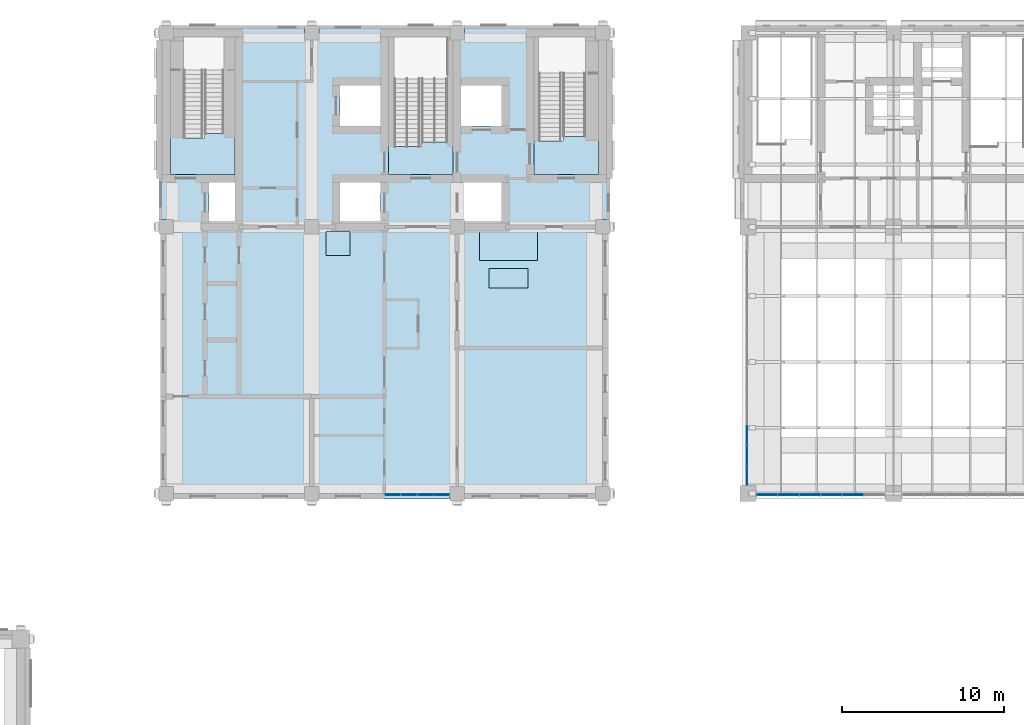
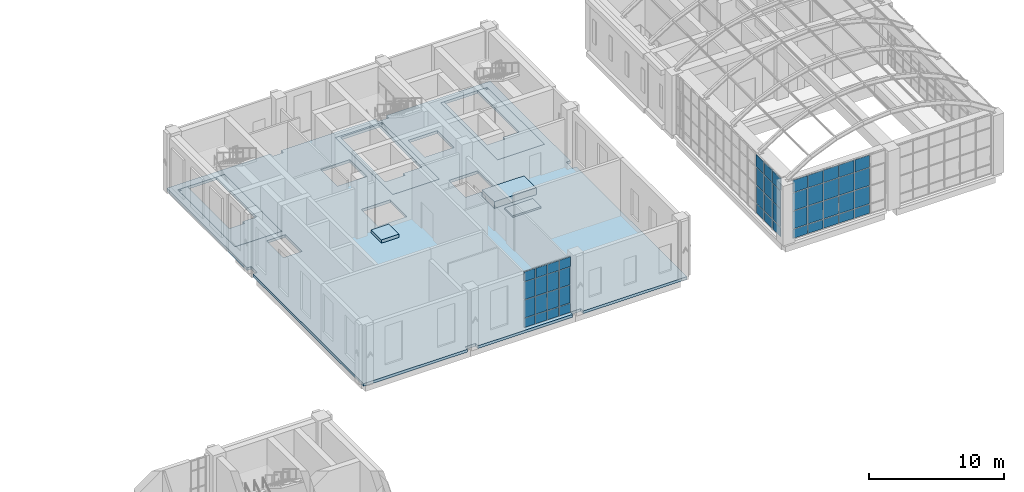
# One storey, part 19 of 39: 48 plates, 7 slabs, 7 elements without a shape of their own.
"""IFC4 building model written with IfcOpenShell, lengths in metres."""

from ifc_helpers import new_model, si_unit, direction, frame, origin, origin_2d, place, context, subcontext, project, spatial, polyline, rectangle, outline, extrude, material, layer, layer_set, type_object, element, aggregate, save


model = new_model("IFC4")

# Units and contexts
model_context = context("Model", 3, precision=1e-05, world=origin(), true_north=direction((0.0, 1.0)))
body_context = subcontext(model_context, "Body", "Model", "MODEL_VIEW")
ifc_project = project(units=[si_unit("LENGTHUNIT", "METRE"), si_unit("AREAUNIT", "SQUARE_METRE"), si_unit("VOLUMEUNIT", "CUBIC_METRE"), si_unit("PLANEANGLEUNIT", "RADIAN"), si_unit("MASSUNIT", "GRAM", prefix="KILO")], contexts=[model_context])

# Site, building, storey
site_placement = place(None, origin())
site = spatial("IfcSite", under=ifc_project, at=site_placement, CompositionType="ELEMENT")
building_placement = place(site_placement, origin())
building = spatial("IfcBuilding", under=site, at=building_placement, Name="Aurelan Courthouse", CompositionType="ELEMENT")
storey_placement = place(building_placement, frame((0.0, 0.0, 28.199951171875)))
storey = spatial("IfcBuildingStorey", under=building, at=storey_placement, Name="L05", CompositionType="ELEMENT", Elevation=28.199951171875)

# Curtain wall, plates
ifc_material_1 = material(Name="Bronze-finished aluminium and glass", Category="aluminium")
ifc_layer_1 = layer(ifc_material_1, 0.14990234375)
ifc_layer_set_1 = layer_set([ifc_layer_1], Name="Bronze-finished aluminium and glass")
curtain_wall_type_1 = type_object("IfcCurtainWallType", Name="Curtain wall 8000 x 5400", PredefinedType="NOTDEFINED", material=ifc_layer_set_1)
curtain_wall_1_placement = place(storey_placement, origin())
curtain_wall_1 = element("IfcCurtainWall", 1, at=curtain_wall_1_placement, inside=storey, type_object=curtain_wall_type_1, Name="Curtain wall CW-V3-L05-S01", PredefinedType="NOTDEFINED")
ifc_material_2 = material(Name="Bronze-finished aluminium", Category="aluminium")
ifc_layer_2 = layer(ifc_material_2, 0.070068359375)
ifc_layer_set_2 = layer_set([ifc_layer_2], Name="Bronze-finished aluminium")
plate_type_1 = type_object("IfcPlateType", Name="Bronze spandrel panel 70", PredefinedType="CURTAIN_PANEL", material=ifc_layer_set_2)
plate_1_placement = place(storey_placement, frame((73.181640625, 37.425048828125, 4.22998046875), z_axis=(0.0, 0.0, 1.0), x_axis=(1.0, 0.0, 0.0)))
plate_1 = element("IfcPlate", 2, at=plate_1_placement, type_object=plate_type_1, Name="CW-V3-L05-S01 spandrel panel 1.4", PredefinedType="CURTAIN_PANEL", context=body_context, shape_type="SweptSolid", body=[
    extrude(rectangle(XDim=1.243408203125, YDim=0.070068359375, at=origin_2d()), origin(), (0.0, 0.0, 1.0), 1.110107421875),
])
plate_2_placement = place(storey_placement, frame((74.5, 37.425048828125, 4.22998046875), z_axis=(0.0, 0.0, 1.0), x_axis=(1.0, 0.0, 0.0)))
plate_2 = element("IfcPlate", 3, at=plate_2_placement, type_object=plate_type_1, Name="CW-V3-L05-S01 spandrel panel 2.4", PredefinedType="CURTAIN_PANEL", context=body_context, shape_type="SweptSolid", body=[
    extrude(rectangle(XDim=1.2734375, YDim=0.070068359375, at=origin_2d()), origin(), (0.0, 0.0, 1.0), 1.110107421875),
])
plate_3_placement = place(storey_placement, frame((75.833251953125, 37.425048828125, 4.22998046875), z_axis=(0.0, 0.0, 1.0), x_axis=(1.0, 0.0, 0.0)))
plate_3 = element("IfcPlate", 4, at=plate_3_placement, type_object=plate_type_1, Name="CW-V3-L05-S01 spandrel panel 3.4", PredefinedType="CURTAIN_PANEL", context=body_context, shape_type="SweptSolid", body=[
    extrude(rectangle(XDim=1.2734375, YDim=0.070068359375, at=origin_2d()), origin(), (0.0, 0.0, 1.0), 1.110107421875),
])
plate_4_placement = place(storey_placement, frame((77.166748046875, 37.425048828125, 4.22998046875), z_axis=(0.0, 0.0, 1.0), x_axis=(1.0, 0.0, 0.0)))
plate_4 = element("IfcPlate", 5, at=plate_4_placement, type_object=plate_type_1, Name="CW-V3-L05-S01 spandrel panel 4.4", PredefinedType="CURTAIN_PANEL", context=body_context, shape_type="SweptSolid", body=[
    extrude(rectangle(XDim=1.2734375, YDim=0.070068359375, at=origin_2d()), origin(), (0.0, 0.0, 1.0), 1.110107421875),
])
plate_5_placement = place(storey_placement, frame((78.5, 37.425048828125, 4.22998046875), z_axis=(0.0, 0.0, 1.0), x_axis=(1.0, 0.0, 0.0)))
plate_5 = element("IfcPlate", 6, at=plate_5_placement, type_object=plate_type_1, Name="CW-V3-L05-S01 spandrel panel 5.4", PredefinedType="CURTAIN_PANEL", context=body_context, shape_type="SweptSolid", body=[
    extrude(rectangle(XDim=1.2734375, YDim=0.070068359375, at=origin_2d()), origin(), (0.0, 0.0, 1.0), 1.110107421875),
])

ifc_layer_3 = layer(ifc_material_1, 0.14990234375)
ifc_layer_set_3 = layer_set([ifc_layer_3], Name="Bronze-finished aluminium and glass")
curtain_wall_type_2 = type_object("IfcCurtainWallType", Name="Curtain wall 2500 x 5400", PredefinedType="NOTDEFINED", material=ifc_layer_set_3)
curtain_wall_2_placement = place(storey_placement, origin())
curtain_wall_2 = element("IfcCurtainWall", 7, at=curtain_wall_2_placement, inside=storey, type_object=curtain_wall_type_2, Name="Curtain wall CW-V3-L05-W01", PredefinedType="NOTDEFINED")
plate_6_placement = place(storey_placement, frame((71.925048828125, 38.639892578125, 4.22998046875), z_axis=(0.0, 0.0, 1.0), x_axis=(0.0, 1.0, 0.0)))
plate_6 = element("IfcPlate", 8, at=plate_6_placement, type_object=plate_type_1, Name="CW-V3-L05-W01 spandrel panel 1.4", PredefinedType="CURTAIN_PANEL", context=body_context, shape_type="SweptSolid", body=[
    extrude(rectangle(XDim=1.159912109375, YDim=0.070068359375, at=origin_2d()), origin(), (0.0, 0.0, 1.0), 1.110107421875),
])
plate_7_placement = place(storey_placement, frame((71.925048828125, 39.860107421875, 4.22998046875), z_axis=(0.0, 0.0, 1.0), x_axis=(0.0, 1.0, 0.0)))
plate_7 = element("IfcPlate", 9, at=plate_7_placement, type_object=plate_type_1, Name="CW-V3-L05-W01 spandrel panel 2.4", PredefinedType="CURTAIN_PANEL", context=body_context, shape_type="SweptSolid", body=[
    extrude(rectangle(XDim=1.159912109375, YDim=0.070068359375, at=origin_2d()), origin(), (0.0, 0.0, 1.0), 1.110107421875),
])

# Curtain wall, plate
ifc_layer_4 = layer(ifc_material_1, 0.14990234375)
ifc_layer_set_4 = layer_set([ifc_layer_4], Name="Bronze-finished aluminium and glass")
curtain_wall_type_3 = type_object("IfcCurtainWallType", Name="Curtain wall 12000 x 5400", PredefinedType="NOTDEFINED", material=ifc_layer_set_4)
curtain_wall_3_placement = place(storey_placement, origin())
curtain_wall_3 = element("IfcCurtainWall", 10, at=curtain_wall_3_placement, inside=storey, type_object=curtain_wall_type_3, Name="Curtain wall CW-V3-L05-W02", PredefinedType="NOTDEFINED")
plate_8_placement = place(storey_placement, frame((71.925048828125, 41.114990234375, 4.22998046875), z_axis=(0.0, 0.0, 1.0), x_axis=(0.0, 1.0, 0.0)))
plate_8 = element("IfcPlate", 11, at=plate_8_placement, type_object=plate_type_1, Name="CW-V3-L05-W02 spandrel panel 1.4", PredefinedType="CURTAIN_PANEL", context=body_context, shape_type="SweptSolid", body=[
    extrude(rectangle(XDim=1.110107421875, YDim=0.070068359375, at=origin_2d()), origin(), (0.0, 0.0, 1.0), 1.110107421875),
])

# Curtain wall, plates
ifc_layer_5 = layer(ifc_material_1, 0.14990234375)
ifc_layer_set_5 = layer_set([ifc_layer_5], Name="Bronze-finished aluminium and glass")
curtain_wall_type_4 = type_object("IfcCurtainWallType", Name="Curtain wall 4050 x 5150", PredefinedType="NOTDEFINED", material=ifc_layer_set_5)
curtain_wall_4_placement = place(storey_placement, origin())
curtain_wall_4 = element("IfcCurtainWall", 12, at=curtain_wall_4_placement, inside=storey, type_object=curtain_wall_type_4, Name="Curtain wall CW-V2-L05-S01", PredefinedType="NOTDEFINED")
ifc_layer_6 = layer(ifc_material_2, 0.080078125)
ifc_layer_set_6 = layer_set([ifc_layer_6], Name="Bronze-finished aluminium")
plate_type_2 = type_object("IfcPlateType", Name="Bronze spandrel panel 80", PredefinedType="CURTAIN_PANEL", material=ifc_layer_set_6)
plate_9_placement = place(storey_placement, frame((50.018798828125, 37.425048828125, 4.22509765625), z_axis=(0.0, 0.0, 1.0), x_axis=(1.0, 0.0, 0.0)))
plate_9 = element("IfcPlate", 13, at=plate_9_placement, type_object=plate_type_2, Name="CW-V2-L05-S01 spandrel panel 1.4", PredefinedType="CURTAIN_PANEL", context=body_context, shape_type="SweptSolid", body=[
    extrude(rectangle(XDim=0.9375, YDim=0.080078125, at=origin_2d()), origin(), (0.0, 0.0, 1.0), 0.875),
])
plate_10_placement = place(storey_placement, frame((51.018798828125, 37.425048828125, 4.22509765625), z_axis=(0.0, 0.0, 1.0), x_axis=(1.0, 0.0, 0.0)))
plate_10 = element("IfcPlate", 14, at=plate_10_placement, type_object=plate_type_2, Name="CW-V2-L05-S01 spandrel panel 2.4", PredefinedType="CURTAIN_PANEL", context=body_context, shape_type="SweptSolid", body=[
    extrude(rectangle(XDim=0.96240234375, YDim=0.080078125, at=origin_2d()), origin(), (0.0, 0.0, 1.0), 0.875),
])
plate_11_placement = place(storey_placement, frame((52.03125, 37.425048828125, 4.22509765625), z_axis=(0.0, 0.0, 1.0), x_axis=(1.0, 0.0, 0.0)))
plate_11 = element("IfcPlate", 15, at=plate_11_placement, type_object=plate_type_2, Name="CW-V2-L05-S01 spandrel panel 3.4", PredefinedType="CURTAIN_PANEL", context=body_context, shape_type="SweptSolid", body=[
    extrude(rectangle(XDim=0.96240234375, YDim=0.080078125, at=origin_2d()), origin(), (0.0, 0.0, 1.0), 0.875),
])
plate_12_placement = place(storey_placement, frame((53.03125, 37.425048828125, 4.22509765625), z_axis=(0.0, 0.0, 1.0), x_axis=(1.0, 0.0, 0.0)))
plate_12 = element("IfcPlate", 16, at=plate_12_placement, type_object=plate_type_2, Name="CW-V2-L05-S01 spandrel panel 4.4", PredefinedType="CURTAIN_PANEL", context=body_context, shape_type="SweptSolid", body=[
    extrude(rectangle(XDim=0.9375, YDim=0.080078125, at=origin_2d()), origin(), (0.0, 0.0, 1.0), 0.875),
])

# Slabs
ifc_material_3 = material(Name="Concrete C30", Category="concrete")
ifc_layer_7 = layer(ifc_material_3, 0.14990234375)
ifc_layer_set_7 = layer_set([ifc_layer_7], Name="Concrete C30")
slab_type_1 = type_object("IfcSlabType", Name="Clerk's dais 150", PredefinedType="FLOOR", material=ifc_layer_set_7)
slab_1_placement = place(storey_placement, origin())
element("IfcSlab", 17, at=slab_1_placement, inside=storey, type_object=slab_type_1, Name="Clerk's dais Commercial Hearing Room 2.05.01", PredefinedType="FLOOR", context=body_context, shape_type="SweptSolid", body=[
    extrude(outline(polyline([(55.97509765625, 50.22509765625), (58.375, 50.22509765625), (58.375, 51.425048828125), (55.97509765625, 51.425048828125), (55.97509765625, 50.22509765625)])), origin(), (0.0, 0.0, 1.0), 0.150146484375),
])
ifc_layer_8 = layer(ifc_material_3, 0.610107421875)
ifc_layer_set_8 = layer_set([ifc_layer_8], Name="Concrete C30")
slab_type_2 = type_object("IfcSlabType", Name="Judge's bench dais 610", PredefinedType="FLOOR", material=ifc_layer_set_8)
slab_2_placement = place(storey_placement, origin())
element("IfcSlab", 18, at=slab_2_placement, inside=storey, type_object=slab_type_2, Name="Judge's bench dais Commercial Hearing Room 2.05.01", PredefinedType="FLOOR", context=body_context, shape_type="SweptSolid", body=[
    extrude(outline(polyline([(55.375, 51.925048828125), (58.97509765625, 51.925048828125), (58.97509765625, 53.72509765625), (55.375, 53.72509765625), (55.375, 51.925048828125)])), origin(), (0.0, 0.0, 1.0), 0.610107421875),
])
ifc_material_4 = material(Name="Concrete C40", Category="concrete")
ifc_layer_9 = layer(ifc_material_4, 0.25)
ifc_layer_set_9 = layer_set([ifc_layer_9], Name="Concrete C40")
slab_type_3 = type_object("IfcSlabType", Name="PT floor slab 250", PredefinedType="FLOOR", material=ifc_layer_set_9)
slab_3_placement = place(storey_placement, frame((0.0, 0.0, -0.25)))
element("IfcSlab", 19, at=slab_3_placement, inside=storey, type_object=slab_type_3, Name="Floor slab SL-L05-01", PredefinedType="FLOOR", context=body_context, shape_type="SweptSolid", body=[
    extrude(outline(polyline([(35.64990234375, 66.35009765625), (35.64990234375, 65.550048828125), (35.64990234375, 54.449951171875), (36.0, 54.449951171875), (36.0, 53.550048828125), (35.64990234375, 53.550048828125), (35.64990234375, 37.949951171875), (35.64990234375, 37.14990234375), (36.449951171875, 37.14990234375), (44.550048828125, 37.14990234375), (44.550048828125, 37.5), (45.449951171875, 37.5), (45.449951171875, 37.14990234375), (53.550048828125, 37.14990234375), (53.550048828125, 37.5), (54.449951171875, 37.5), (54.449951171875, 37.14990234375), (62.550048828125, 37.14990234375), (63.35009765625, 37.14990234375), (63.35009765625, 37.949951171875), (63.35009765625, 53.550048828125), (63.0, 53.550048828125), (63.0, 54.449951171875), (63.35009765625, 54.449951171875), (63.35009765625, 65.550048828125), (63.35009765625, 66.35009765625), (62.550048828125, 66.35009765625), (54.449951171875, 66.35009765625), (54.449951171875, 66.0), (53.550048828125, 66.0), (53.550048828125, 66.35009765625), (45.449951171875, 66.35009765625), (45.449951171875, 66.0), (44.550048828125, 66.0), (44.550048828125, 66.35009765625), (36.449951171875, 66.35009765625), (35.64990234375, 66.35009765625)]), holes=[polyline([(58.75, 65.75), (62.75, 65.75), (62.75, 57.25), (58.75, 57.25), (58.75, 65.75)]), polyline([(56.75, 56.75), (56.75, 54.25), (54.25, 54.25), (54.25, 56.75), (56.75, 56.75)]), polyline([(56.75, 60.25), (54.25, 60.25), (54.25, 62.75), (56.75, 62.75), (56.75, 60.25)]), polyline([(49.75, 57.25), (49.75, 65.75), (53.75, 65.75), (53.75, 57.25), (49.75, 57.25)]), polyline([(46.75, 56.75), (49.25, 56.75), (49.25, 54.25), (46.75, 54.25), (46.75, 56.75)]), polyline([(46.75, 60.25), (46.75, 62.75), (49.25, 62.75), (49.25, 60.25), (46.75, 60.25)]), polyline([(40.25, 56.75), (40.25, 54.25), (38.64990234375, 54.25), (38.64990234375, 56.75), (40.25, 56.75)]), polyline([(40.25, 57.25), (36.25, 57.25), (36.25, 65.75), (40.25, 65.75), (40.25, 57.25)])]), origin(), (0.0, 0.0, 1.0), 0.25),
])

# Plate
ifc_layer_10 = layer(ifc_material_2, 0.0400390625)
ifc_layer_set_10 = layer_set([ifc_layer_10], Name="Bronze-finished aluminium")
plate_type_3 = type_object("IfcPlateType", Name="Sill panel 40", PredefinedType="CURTAIN_PANEL", material=ifc_layer_set_10)
plate_13_placement = place(storey_placement, frame((50.018798828125, 37.425048828125, 0.05029296875), z_axis=(0.0, 0.0, 1.0), x_axis=(1.0, 0.0, 0.0)))
plate_13 = element("IfcPlate", 20, at=plate_13_placement, type_object=plate_type_3, Name="CW-V2-L05-S01 sill panel 1.1", PredefinedType="CURTAIN_PANEL", context=body_context, shape_type="SweptSolid", body=[
    extrude(rectangle(XDim=0.9375, YDim=0.0400390625, at=origin_2d()), origin(), (0.0, 0.0, 1.0), 0.824951171875),
])

plate_14_placement = place(storey_placement, frame((51.018798828125, 37.425048828125, 0.05029296875), z_axis=(0.0, 0.0, 1.0), x_axis=(1.0, 0.0, 0.0)))
plate_14 = element("IfcPlate", 21, at=plate_14_placement, type_object=plate_type_3, Name="CW-V2-L05-S01 sill panel 2.1", PredefinedType="CURTAIN_PANEL", context=body_context, shape_type="SweptSolid", body=[
    extrude(rectangle(XDim=0.96240234375, YDim=0.0400390625, at=origin_2d()), origin(), (0.0, 0.0, 1.0), 0.824951171875),
])

plate_15_placement = place(storey_placement, frame((52.03125, 37.425048828125, 0.05029296875), z_axis=(0.0, 0.0, 1.0), x_axis=(1.0, 0.0, 0.0)))
plate_15 = element("IfcPlate", 22, at=plate_15_placement, type_object=plate_type_3, Name="CW-V2-L05-S01 sill panel 3.1", PredefinedType="CURTAIN_PANEL", context=body_context, shape_type="SweptSolid", body=[
    extrude(rectangle(XDim=0.96240234375, YDim=0.0400390625, at=origin_2d()), origin(), (0.0, 0.0, 1.0), 0.824951171875),
])

plate_16_placement = place(storey_placement, frame((53.03125, 37.425048828125, 0.05029296875), z_axis=(0.0, 0.0, 1.0), x_axis=(1.0, 0.0, 0.0)))
plate_16 = element("IfcPlate", 23, at=plate_16_placement, type_object=plate_type_3, Name="CW-V2-L05-S01 sill panel 4.1", PredefinedType="CURTAIN_PANEL", context=body_context, shape_type="SweptSolid", body=[
    extrude(rectangle(XDim=0.9375, YDim=0.0400390625, at=origin_2d()), origin(), (0.0, 0.0, 1.0), 0.824951171875),
])

plate_17_placement = place(storey_placement, frame((73.181640625, 37.425048828125, 0.06005859375), z_axis=(0.0, 0.0, 1.0), x_axis=(1.0, 0.0, 0.0)))
plate_17 = element("IfcPlate", 24, at=plate_17_placement, type_object=plate_type_3, Name="CW-V3-L05-S01 sill panel 1.1", PredefinedType="CURTAIN_PANEL", context=body_context, shape_type="SweptSolid", body=[
    extrude(rectangle(XDim=1.243408203125, YDim=0.0400390625, at=origin_2d()), origin(), (0.0, 0.0, 1.0), 0.81005859375),
])

plate_18_placement = place(storey_placement, frame((74.5, 37.425048828125, 0.06005859375), z_axis=(0.0, 0.0, 1.0), x_axis=(1.0, 0.0, 0.0)))
plate_18 = element("IfcPlate", 25, at=plate_18_placement, type_object=plate_type_3, Name="CW-V3-L05-S01 sill panel 2.1", PredefinedType="CURTAIN_PANEL", context=body_context, shape_type="SweptSolid", body=[
    extrude(rectangle(XDim=1.2734375, YDim=0.0400390625, at=origin_2d()), origin(), (0.0, 0.0, 1.0), 0.81005859375),
])

plate_19_placement = place(storey_placement, frame((75.833251953125, 37.425048828125, 0.06005859375), z_axis=(0.0, 0.0, 1.0), x_axis=(1.0, 0.0, 0.0)))
plate_19 = element("IfcPlate", 26, at=plate_19_placement, type_object=plate_type_3, Name="CW-V3-L05-S01 sill panel 3.1", PredefinedType="CURTAIN_PANEL", context=body_context, shape_type="SweptSolid", body=[
    extrude(rectangle(XDim=1.2734375, YDim=0.0400390625, at=origin_2d()), origin(), (0.0, 0.0, 1.0), 0.81005859375),
])

plate_20_placement = place(storey_placement, frame((77.166748046875, 37.425048828125, 0.06005859375), z_axis=(0.0, 0.0, 1.0), x_axis=(1.0, 0.0, 0.0)))
plate_20 = element("IfcPlate", 27, at=plate_20_placement, type_object=plate_type_3, Name="CW-V3-L05-S01 sill panel 4.1", PredefinedType="CURTAIN_PANEL", context=body_context, shape_type="SweptSolid", body=[
    extrude(rectangle(XDim=1.2734375, YDim=0.0400390625, at=origin_2d()), origin(), (0.0, 0.0, 1.0), 0.81005859375),
])

plate_21_placement = place(storey_placement, frame((78.5, 37.425048828125, 0.06005859375), z_axis=(0.0, 0.0, 1.0), x_axis=(1.0, 0.0, 0.0)))
plate_21 = element("IfcPlate", 28, at=plate_21_placement, type_object=plate_type_3, Name="CW-V3-L05-S01 sill panel 5.1", PredefinedType="CURTAIN_PANEL", context=body_context, shape_type="SweptSolid", body=[
    extrude(rectangle(XDim=1.2734375, YDim=0.0400390625, at=origin_2d()), origin(), (0.0, 0.0, 1.0), 0.81005859375),
])

plate_22_placement = place(storey_placement, frame((71.925048828125, 38.639892578125, 0.06005859375), z_axis=(0.0, 0.0, 1.0), x_axis=(0.0, 1.0, 0.0)))
plate_22 = element("IfcPlate", 29, at=plate_22_placement, type_object=plate_type_3, Name="CW-V3-L05-W01 sill panel 1.1", PredefinedType="CURTAIN_PANEL", context=body_context, shape_type="SweptSolid", body=[
    extrude(rectangle(XDim=1.159912109375, YDim=0.0400390625, at=origin_2d()), origin(), (0.0, 0.0, 1.0), 0.81005859375),
])

plate_23_placement = place(storey_placement, frame((71.925048828125, 39.860107421875, 0.06005859375), z_axis=(0.0, 0.0, 1.0), x_axis=(0.0, 1.0, 0.0)))
plate_23 = element("IfcPlate", 30, at=plate_23_placement, type_object=plate_type_3, Name="CW-V3-L05-W01 sill panel 2.1", PredefinedType="CURTAIN_PANEL", context=body_context, shape_type="SweptSolid", body=[
    extrude(rectangle(XDim=1.159912109375, YDim=0.0400390625, at=origin_2d()), origin(), (0.0, 0.0, 1.0), 0.81005859375),
])

plate_24_placement = place(storey_placement, frame((71.925048828125, 41.114990234375, 0.06005859375), z_axis=(0.0, 0.0, 1.0), x_axis=(0.0, 1.0, 0.0)))
plate_24 = element("IfcPlate", 31, at=plate_24_placement, type_object=plate_type_3, Name="CW-V3-L05-W02 sill panel 1.1", PredefinedType="CURTAIN_PANEL", context=body_context, shape_type="SweptSolid", body=[
    extrude(rectangle(XDim=1.110107421875, YDim=0.0400390625, at=origin_2d()), origin(), (0.0, 0.0, 1.0), 0.81005859375),
])

# Stair, slab
stair_type_1 = type_object("IfcStairType", Name="Half-turn stair 1200 wide 31 risers", PredefinedType="HALF_TURN_STAIR", material=ifc_material_3)
stair_1_placement = place(storey_placement, origin())
stair_1 = element("IfcStair", 32, at=stair_1_placement, inside=storey, type_object=stair_type_1, Name="Stair CS-2-L05", PredefinedType="HALF_TURN_STAIR")
ifc_layer_11 = layer(ifc_material_3, 0.25)
ifc_layer_set_11 = layer_set([ifc_layer_11], Name="Concrete C30")
slab_type_4 = type_object("IfcSlabType", Name="Stair floor landing 250 thick", PredefinedType="LANDING", material=ifc_layer_set_11)
slab_4_placement = place(storey_placement, frame((0.0, 0.0, -0.25)))
slab_4 = element("IfcSlab", 33, at=slab_4_placement, type_object=slab_type_4, Name="Stair CS-2-L05 floor landing", PredefinedType="LANDING", context=body_context, shape_type="SweptSolid", body=[
    extrude(outline(polyline([(37.06005859375, 59.510986328125), (38.360107421875, 59.510986328125), (38.360107421875, 59.791015625), (39.56005859375, 59.791015625), (39.56005859375, 65.75), (40.25, 65.75), (40.25, 57.25), (36.25, 57.25), (36.25, 65.550048828125), (36.449951171875, 65.550048828125), (36.449951171875, 65.75), (37.06005859375, 65.75), (37.06005859375, 59.510986328125)])), origin(), (0.0, 0.0, 1.0), 0.25),
])
aggregate(stair_1, [slab_4])

stair_type_2 = type_object("IfcStairType", Name="Half-turn stair 1600 wide 31 risers", PredefinedType="HALF_TURN_STAIR", material=ifc_material_3)
stair_2_placement = place(storey_placement, origin())
stair_2 = element("IfcStair", 34, at=stair_2_placement, inside=storey, type_object=stair_type_2, Name="Stair ST-2A-L05", PredefinedType="HALF_TURN_STAIR")
slab_5_placement = place(storey_placement, frame((0.0, 0.0, -0.25)))
slab_5 = element("IfcSlab", 35, at=slab_5_placement, type_object=slab_type_4, Name="Stair ST-2A-L05 floor landing", PredefinedType="LANDING", context=body_context, shape_type="SweptSolid", body=[
    extrude(outline(polyline([(53.75, 57.25), (49.75, 57.25), (49.75, 65.590087890625), (49.75, 65.60009765625), (49.75, 65.75), (53.550048828125, 65.75), (53.550048828125, 65.550048828125), (53.75, 65.550048828125), (53.75, 57.25)]), holes=[polyline([(51.800048828125, 58.9609375), (51.800048828125, 59.240966796875), (53.39990234375, 59.240966796875), (53.39990234375, 65.590087890625), (50.10009765625, 65.590087890625), (50.10009765625, 58.9609375), (51.800048828125, 58.9609375)])]), origin(), (0.0, 0.0, 1.0), 0.25),
])
aggregate(stair_2, [slab_5])

stair_type_3 = type_object("IfcStairType", Name="Half-turn stair 1400 wide 31 risers", PredefinedType="HALF_TURN_STAIR", material=ifc_material_3)
stair_3_placement = place(storey_placement, origin())
stair_3 = element("IfcStair", 36, at=stair_3_placement, inside=storey, type_object=stair_type_3, Name="Stair ST-2E-L05", PredefinedType="HALF_TURN_STAIR")
slab_6_placement = place(storey_placement, frame((0.0, 0.0, -0.25)))
slab_6 = element("IfcSlab", 37, at=slab_6_placement, type_object=slab_type_4, Name="Stair ST-2E-L05 floor landing", PredefinedType="LANDING", context=body_context, shape_type="SweptSolid", body=[
    extrude(outline(polyline([(59.0400390625, 59.31103515625), (60.5400390625, 59.31103515625), (60.5400390625, 59.591064453125), (61.93994140625, 59.591064453125), (61.93994140625, 65.75), (62.550048828125, 65.75), (62.550048828125, 65.550048828125), (62.75, 65.550048828125), (62.75, 57.25), (58.75, 57.25), (58.75, 65.75), (59.0400390625, 65.75), (59.0400390625, 59.31103515625)])), origin(), (0.0, 0.0, 1.0), 0.25),
])
aggregate(stair_3, [slab_6])

# Plate
ifc_material_5 = material(Name="Laminated low-emissivity glass", Category="glass")
ifc_layer_12 = layer(ifc_material_5, 0.02392578125)
ifc_layer_set_12 = layer_set([ifc_layer_12], Name="Laminated low-emissivity glass")
plate_type_4 = type_object("IfcPlateType", Name="Vision glass panel 24", PredefinedType="CURTAIN_PANEL", material=ifc_layer_set_12)
plate_25_placement = place(storey_placement, frame((50.018798828125, 37.425048828125, 0.925048828125), z_axis=(0.0, 0.0, 1.0), x_axis=(1.0, 0.0, 0.0)))
plate_25 = element("IfcPlate", 38, at=plate_25_placement, type_object=plate_type_4, Name="CW-V2-L05-S01 vision panel 1.2", PredefinedType="CURTAIN_PANEL", context=body_context, shape_type="SweptSolid", body=[
    extrude(rectangle(XDim=0.9375, YDim=0.02392578125, at=origin_2d()), origin(), (0.0, 0.0, 1.0), 1.60009765625),
])

plate_26_placement = place(storey_placement, frame((50.018798828125, 37.425048828125, 2.574951171875), z_axis=(0.0, 0.0, 1.0), x_axis=(1.0, 0.0, 0.0)))
plate_26 = element("IfcPlate", 39, at=plate_26_placement, type_object=plate_type_4, Name="CW-V2-L05-S01 vision panel 1.3", PredefinedType="CURTAIN_PANEL", context=body_context, shape_type="SweptSolid", body=[
    extrude(rectangle(XDim=0.9375, YDim=0.02392578125, at=origin_2d()), origin(), (0.0, 0.0, 1.0), 1.60009765625),
])

plate_27_placement = place(storey_placement, frame((51.018798828125, 37.425048828125, 0.925048828125), z_axis=(0.0, 0.0, 1.0), x_axis=(1.0, 0.0, 0.0)))
plate_27 = element("IfcPlate", 40, at=plate_27_placement, type_object=plate_type_4, Name="CW-V2-L05-S01 vision panel 2.2", PredefinedType="CURTAIN_PANEL", context=body_context, shape_type="SweptSolid", body=[
    extrude(rectangle(XDim=0.96240234375, YDim=0.02392578125, at=origin_2d()), origin(), (0.0, 0.0, 1.0), 1.60009765625),
])

plate_28_placement = place(storey_placement, frame((51.018798828125, 37.425048828125, 2.574951171875), z_axis=(0.0, 0.0, 1.0), x_axis=(1.0, 0.0, 0.0)))
plate_28 = element("IfcPlate", 41, at=plate_28_placement, type_object=plate_type_4, Name="CW-V2-L05-S01 vision panel 2.3", PredefinedType="CURTAIN_PANEL", context=body_context, shape_type="SweptSolid", body=[
    extrude(rectangle(XDim=0.96240234375, YDim=0.02392578125, at=origin_2d()), origin(), (0.0, 0.0, 1.0), 1.60009765625),
])

plate_29_placement = place(storey_placement, frame((52.03125, 37.425048828125, 0.925048828125), z_axis=(0.0, 0.0, 1.0), x_axis=(1.0, 0.0, 0.0)))
plate_29 = element("IfcPlate", 42, at=plate_29_placement, type_object=plate_type_4, Name="CW-V2-L05-S01 vision panel 3.2", PredefinedType="CURTAIN_PANEL", context=body_context, shape_type="SweptSolid", body=[
    extrude(rectangle(XDim=0.96240234375, YDim=0.02392578125, at=origin_2d()), origin(), (0.0, 0.0, 1.0), 1.60009765625),
])

plate_30_placement = place(storey_placement, frame((52.03125, 37.425048828125, 2.574951171875), z_axis=(0.0, 0.0, 1.0), x_axis=(1.0, 0.0, 0.0)))
plate_30 = element("IfcPlate", 43, at=plate_30_placement, type_object=plate_type_4, Name="CW-V2-L05-S01 vision panel 3.3", PredefinedType="CURTAIN_PANEL", context=body_context, shape_type="SweptSolid", body=[
    extrude(rectangle(XDim=0.96240234375, YDim=0.02392578125, at=origin_2d()), origin(), (0.0, 0.0, 1.0), 1.60009765625),
])

plate_31_placement = place(storey_placement, frame((53.03125, 37.425048828125, 0.925048828125), z_axis=(0.0, 0.0, 1.0), x_axis=(1.0, 0.0, 0.0)))
plate_31 = element("IfcPlate", 44, at=plate_31_placement, type_object=plate_type_4, Name="CW-V2-L05-S01 vision panel 4.2", PredefinedType="CURTAIN_PANEL", context=body_context, shape_type="SweptSolid", body=[
    extrude(rectangle(XDim=0.9375, YDim=0.02392578125, at=origin_2d()), origin(), (0.0, 0.0, 1.0), 1.60009765625),
])

plate_32_placement = place(storey_placement, frame((53.03125, 37.425048828125, 2.574951171875), z_axis=(0.0, 0.0, 1.0), x_axis=(1.0, 0.0, 0.0)))
plate_32 = element("IfcPlate", 45, at=plate_32_placement, type_object=plate_type_4, Name="CW-V2-L05-S01 vision panel 4.3", PredefinedType="CURTAIN_PANEL", context=body_context, shape_type="SweptSolid", body=[
    extrude(rectangle(XDim=0.9375, YDim=0.02392578125, at=origin_2d()), origin(), (0.0, 0.0, 1.0), 1.60009765625),
])

aggregate(curtain_wall_4, [plate_13, plate_25, plate_26, plate_9, plate_14, plate_27, plate_28, plate_10, plate_15, plate_29, plate_30, plate_11, plate_16, plate_31, plate_32, plate_12])

ifc_layer_13 = layer(ifc_material_5, 0.031982421875)
ifc_layer_set_13 = layer_set([ifc_layer_13], Name="Laminated low-emissivity glass")
plate_type_5 = type_object("IfcPlateType", Name="Vision glass panel 32", PredefinedType="CURTAIN_PANEL", material=ifc_layer_set_13)
plate_33_placement = place(storey_placement, frame((73.181640625, 37.425048828125, 0.93017578125), z_axis=(0.0, 0.0, 1.0), x_axis=(1.0, 0.0, 0.0)))
plate_33 = element("IfcPlate", 46, at=plate_33_placement, type_object=plate_type_5, Name="CW-V3-L05-S01 vision panel 1.2", PredefinedType="CURTAIN_PANEL", context=body_context, shape_type="SweptSolid", body=[
    extrude(rectangle(XDim=1.243408203125, YDim=0.031982421875, at=origin_2d()), origin(), (0.0, 0.0, 1.0), 1.590087890625),
])

plate_34_placement = place(storey_placement, frame((73.181640625, 37.425048828125, 2.580078125), z_axis=(0.0, 0.0, 1.0), x_axis=(1.0, 0.0, 0.0)))
plate_34 = element("IfcPlate", 47, at=plate_34_placement, type_object=plate_type_5, Name="CW-V3-L05-S01 vision panel 1.3", PredefinedType="CURTAIN_PANEL", context=body_context, shape_type="SweptSolid", body=[
    extrude(rectangle(XDim=1.243408203125, YDim=0.031982421875, at=origin_2d()), origin(), (0.0, 0.0, 1.0), 1.590087890625),
])

plate_35_placement = place(storey_placement, frame((74.5, 37.425048828125, 0.93017578125), z_axis=(0.0, 0.0, 1.0), x_axis=(1.0, 0.0, 0.0)))
plate_35 = element("IfcPlate", 48, at=plate_35_placement, type_object=plate_type_5, Name="CW-V3-L05-S01 vision panel 2.2", PredefinedType="CURTAIN_PANEL", context=body_context, shape_type="SweptSolid", body=[
    extrude(rectangle(XDim=1.2734375, YDim=0.031982421875, at=origin_2d()), origin(), (0.0, 0.0, 1.0), 1.590087890625),
])

plate_36_placement = place(storey_placement, frame((74.5, 37.425048828125, 2.580078125), z_axis=(0.0, 0.0, 1.0), x_axis=(1.0, 0.0, 0.0)))
plate_36 = element("IfcPlate", 49, at=plate_36_placement, type_object=plate_type_5, Name="CW-V3-L05-S01 vision panel 2.3", PredefinedType="CURTAIN_PANEL", context=body_context, shape_type="SweptSolid", body=[
    extrude(rectangle(XDim=1.2734375, YDim=0.031982421875, at=origin_2d()), origin(), (0.0, 0.0, 1.0), 1.590087890625),
])

plate_37_placement = place(storey_placement, frame((75.833251953125, 37.425048828125, 0.93017578125), z_axis=(0.0, 0.0, 1.0), x_axis=(1.0, 0.0, 0.0)))
plate_37 = element("IfcPlate", 50, at=plate_37_placement, type_object=plate_type_5, Name="CW-V3-L05-S01 vision panel 3.2", PredefinedType="CURTAIN_PANEL", context=body_context, shape_type="SweptSolid", body=[
    extrude(rectangle(XDim=1.2734375, YDim=0.031982421875, at=origin_2d()), origin(), (0.0, 0.0, 1.0), 1.590087890625),
])

plate_38_placement = place(storey_placement, frame((75.833251953125, 37.425048828125, 2.580078125), z_axis=(0.0, 0.0, 1.0), x_axis=(1.0, 0.0, 0.0)))
plate_38 = element("IfcPlate", 51, at=plate_38_placement, type_object=plate_type_5, Name="CW-V3-L05-S01 vision panel 3.3", PredefinedType="CURTAIN_PANEL", context=body_context, shape_type="SweptSolid", body=[
    extrude(rectangle(XDim=1.2734375, YDim=0.031982421875, at=origin_2d()), origin(), (0.0, 0.0, 1.0), 1.590087890625),
])

plate_39_placement = place(storey_placement, frame((77.166748046875, 37.425048828125, 0.93017578125), z_axis=(0.0, 0.0, 1.0), x_axis=(1.0, 0.0, 0.0)))
plate_39 = element("IfcPlate", 52, at=plate_39_placement, type_object=plate_type_5, Name="CW-V3-L05-S01 vision panel 4.2", PredefinedType="CURTAIN_PANEL", context=body_context, shape_type="SweptSolid", body=[
    extrude(rectangle(XDim=1.2734375, YDim=0.031982421875, at=origin_2d()), origin(), (0.0, 0.0, 1.0), 1.590087890625),
])

plate_40_placement = place(storey_placement, frame((77.166748046875, 37.425048828125, 2.580078125), z_axis=(0.0, 0.0, 1.0), x_axis=(1.0, 0.0, 0.0)))
plate_40 = element("IfcPlate", 53, at=plate_40_placement, type_object=plate_type_5, Name="CW-V3-L05-S01 vision panel 4.3", PredefinedType="CURTAIN_PANEL", context=body_context, shape_type="SweptSolid", body=[
    extrude(rectangle(XDim=1.2734375, YDim=0.031982421875, at=origin_2d()), origin(), (0.0, 0.0, 1.0), 1.590087890625),
])

plate_41_placement = place(storey_placement, frame((78.5, 37.425048828125, 0.93017578125), z_axis=(0.0, 0.0, 1.0), x_axis=(1.0, 0.0, 0.0)))
plate_41 = element("IfcPlate", 54, at=plate_41_placement, type_object=plate_type_5, Name="CW-V3-L05-S01 vision panel 5.2", PredefinedType="CURTAIN_PANEL", context=body_context, shape_type="SweptSolid", body=[
    extrude(rectangle(XDim=1.2734375, YDim=0.031982421875, at=origin_2d()), origin(), (0.0, 0.0, 1.0), 1.590087890625),
])

plate_42_placement = place(storey_placement, frame((78.5, 37.425048828125, 2.580078125), z_axis=(0.0, 0.0, 1.0), x_axis=(1.0, 0.0, 0.0)))
plate_42 = element("IfcPlate", 55, at=plate_42_placement, type_object=plate_type_5, Name="CW-V3-L05-S01 vision panel 5.3", PredefinedType="CURTAIN_PANEL", context=body_context, shape_type="SweptSolid", body=[
    extrude(rectangle(XDim=1.2734375, YDim=0.031982421875, at=origin_2d()), origin(), (0.0, 0.0, 1.0), 1.590087890625),
])

aggregate(curtain_wall_1, [plate_17, plate_33, plate_34, plate_1, plate_18, plate_35, plate_36, plate_2, plate_19, plate_37, plate_38, plate_3, plate_20, plate_39, plate_40, plate_4, plate_21, plate_41, plate_42, plate_5])

plate_43_placement = place(storey_placement, frame((71.925048828125, 38.639892578125, 0.93017578125), z_axis=(0.0, 0.0, 1.0), x_axis=(0.0, 1.0, 0.0)))
plate_43 = element("IfcPlate", 56, at=plate_43_placement, type_object=plate_type_5, Name="CW-V3-L05-W01 vision panel 1.2", PredefinedType="CURTAIN_PANEL", context=body_context, shape_type="SweptSolid", body=[
    extrude(rectangle(XDim=1.159912109375, YDim=0.031982421875, at=origin_2d()), origin(), (0.0, 0.0, 1.0), 1.590087890625),
])

plate_44_placement = place(storey_placement, frame((71.925048828125, 38.639892578125, 2.580078125), z_axis=(0.0, 0.0, 1.0), x_axis=(0.0, 1.0, 0.0)))
plate_44 = element("IfcPlate", 57, at=plate_44_placement, type_object=plate_type_5, Name="CW-V3-L05-W01 vision panel 1.3", PredefinedType="CURTAIN_PANEL", context=body_context, shape_type="SweptSolid", body=[
    extrude(rectangle(XDim=1.159912109375, YDim=0.031982421875, at=origin_2d()), origin(), (0.0, 0.0, 1.0), 1.590087890625),
])

plate_45_placement = place(storey_placement, frame((71.925048828125, 39.860107421875, 0.93017578125), z_axis=(0.0, 0.0, 1.0), x_axis=(0.0, 1.0, 0.0)))
plate_45 = element("IfcPlate", 58, at=plate_45_placement, type_object=plate_type_5, Name="CW-V3-L05-W01 vision panel 2.2", PredefinedType="CURTAIN_PANEL", context=body_context, shape_type="SweptSolid", body=[
    extrude(rectangle(XDim=1.159912109375, YDim=0.031982421875, at=origin_2d()), origin(), (0.0, 0.0, 1.0), 1.590087890625),
])

plate_46_placement = place(storey_placement, frame((71.925048828125, 39.860107421875, 2.580078125), z_axis=(0.0, 0.0, 1.0), x_axis=(0.0, 1.0, 0.0)))
plate_46 = element("IfcPlate", 59, at=plate_46_placement, type_object=plate_type_5, Name="CW-V3-L05-W01 vision panel 2.3", PredefinedType="CURTAIN_PANEL", context=body_context, shape_type="SweptSolid", body=[
    extrude(rectangle(XDim=1.159912109375, YDim=0.031982421875, at=origin_2d()), origin(), (0.0, 0.0, 1.0), 1.590087890625),
])

aggregate(curtain_wall_2, [plate_22, plate_43, plate_44, plate_6, plate_23, plate_45, plate_46, plate_7])

plate_47_placement = place(storey_placement, frame((71.925048828125, 41.114990234375, 0.93017578125), z_axis=(0.0, 0.0, 1.0), x_axis=(0.0, 1.0, 0.0)))
plate_47 = element("IfcPlate", 60, at=plate_47_placement, type_object=plate_type_5, Name="CW-V3-L05-W02 vision panel 1.2", PredefinedType="CURTAIN_PANEL", context=body_context, shape_type="SweptSolid", body=[
    extrude(rectangle(XDim=1.110107421875, YDim=0.031982421875, at=origin_2d()), origin(), (0.0, 0.0, 1.0), 1.590087890625),
])

plate_48_placement = place(storey_placement, frame((71.925048828125, 41.114990234375, 2.580078125), z_axis=(0.0, 0.0, 1.0), x_axis=(0.0, 1.0, 0.0)))
plate_48 = element("IfcPlate", 61, at=plate_48_placement, type_object=plate_type_5, Name="CW-V3-L05-W02 vision panel 1.3", PredefinedType="CURTAIN_PANEL", context=body_context, shape_type="SweptSolid", body=[
    extrude(rectangle(XDim=1.110107421875, YDim=0.031982421875, at=origin_2d()), origin(), (0.0, 0.0, 1.0), 1.590087890625),
])

aggregate(curtain_wall_3, [plate_24, plate_47, plate_48, plate_8])

# Slab
ifc_layer_14 = layer(ifc_material_3, 0.300048828125)
ifc_layer_set_14 = layer_set([ifc_layer_14], Name="Concrete C30")
slab_type_5 = type_object("IfcSlabType", Name="Witness dais 300", PredefinedType="FLOOR", material=ifc_layer_set_14)
slab_7_placement = place(storey_placement, origin())
element("IfcSlab", 62, at=slab_7_placement, inside=storey, type_object=slab_type_5, Name="Witness dais Criminal Courtroom 2.05.01", PredefinedType="FLOOR", context=body_context, shape_type="SweptSolid", body=[
    extrude(outline(polyline([(45.875, 52.22509765625), (47.375, 52.22509765625), (47.375, 53.72509765625), (45.875, 53.72509765625), (45.875, 52.22509765625)])), origin(), (0.0, 0.0, 1.0), 0.300048828125),
])

save(model, "model.ifc")
